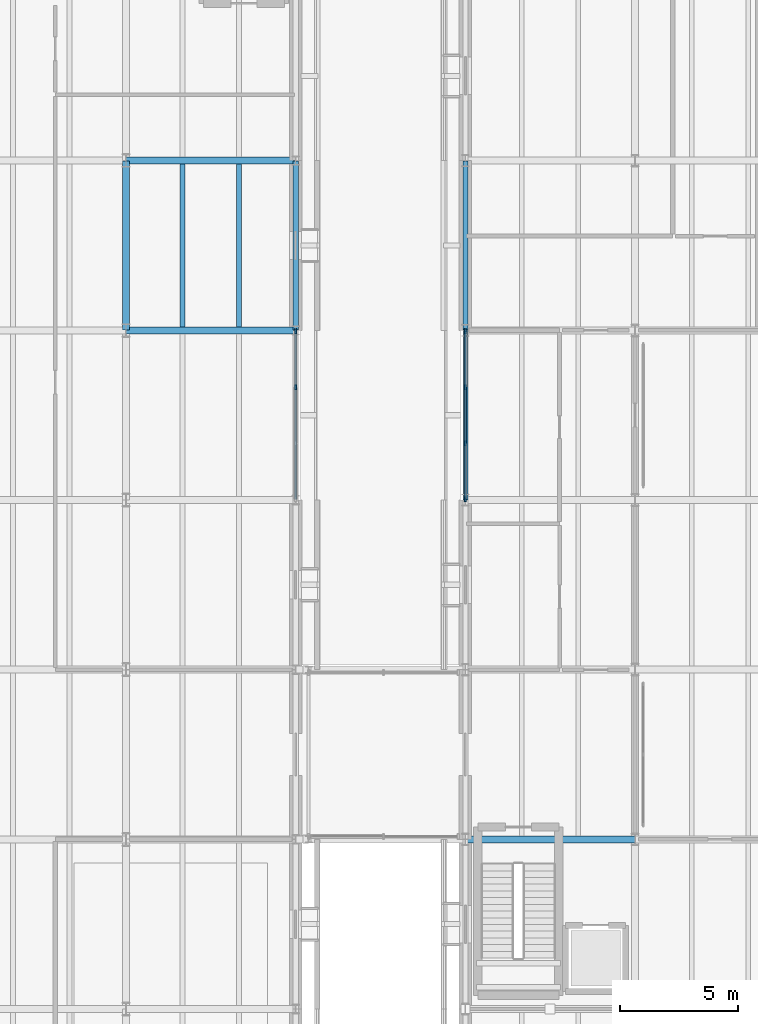
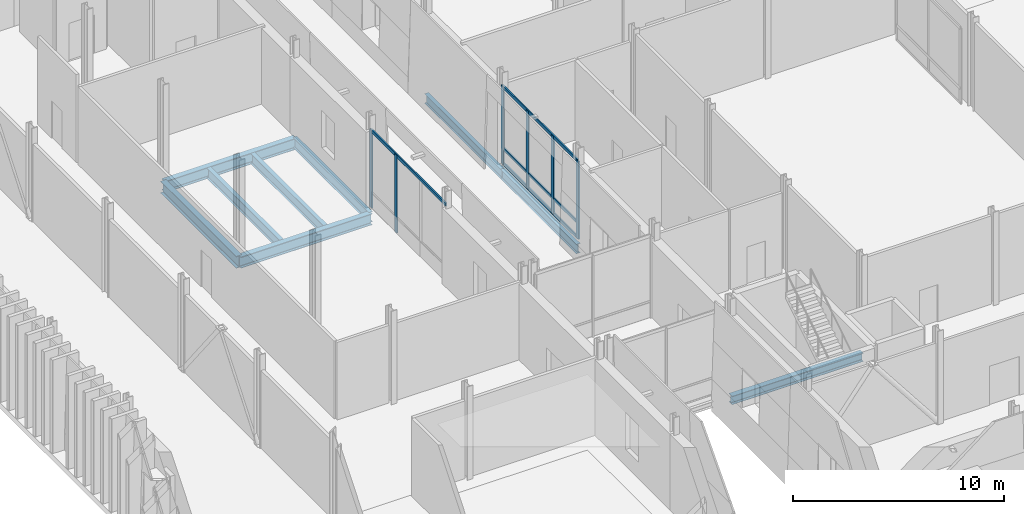
# One storey, part 26 of 120: 10 members, 9 beams, 2 elements without a shape of their own.
"""IFC4 building model written with IfcOpenShell, lengths in metres."""

from ifc_helpers import new_model, si_unit, direction, frame, origin, origin_2d, place, context, subcontext, project, spatial, rectangle, i_section, extrude, material, layer, layer_set, material_profile, profile_set, type_object, element, aggregate, save


model = new_model("IFC4")

# Units and contexts
model_context = context("Model", 3, precision=1e-05, world=origin(), true_north=direction((0.0, 1.0)))
body_context = subcontext(model_context, "Body", "Model", "MODEL_VIEW")
ifc_project = project(units=[si_unit("LENGTHUNIT", "METRE"), si_unit("AREAUNIT", "SQUARE_METRE"), si_unit("VOLUMEUNIT", "CUBIC_METRE"), si_unit("PLANEANGLEUNIT", "RADIAN"), si_unit("MASSUNIT", "GRAM", prefix="KILO")], contexts=[model_context])

# Site, building, storey
site_placement = place(None, origin())
site = spatial("IfcSite", under=ifc_project, at=site_placement, CompositionType="ELEMENT")
building_placement = place(site_placement, origin())
building = spatial("IfcBuilding", under=site, at=building_placement, Name="Narikvali Park Central Library", CompositionType="ELEMENT")
storey_placement = place(building_placement, origin())
storey = spatial("IfcBuildingStorey", under=building, at=storey_placement, Name="L00", CompositionType="ELEMENT", Elevation=0.0)

# Beams
ifc_material_1 = material(Name="Steel S355", Category="steel")
ifc_material_profile_1 = material_profile(ifc_material_1, i_section(OverallWidth=0.219970703125, OverallDepth=0.60009765625, WebThickness=0.011962890625, FlangeThickness=0.01904296875, FilletRadius=0.02392578125, at=origin_2d()), Name="IPE 600")
ifc_profile_set_1 = profile_set([ifc_material_profile_1], Name="Steel S355")
beam_type_1 = type_object("IfcBeamType", Name="Compact Archive Joist IPE600", PredefinedType="JOIST", material=ifc_profile_set_1)
for number, where, z_axis, x_axis, name in (
    (1, (16.800048828125, 86.550048828125, -0.6201171875), (0.0, 1.0, 0.0), (-1.0, 0.0, 0.0), "V5 L00 Composite Joist 1"),
    (2, (19.199951171875, 86.550048828125, -0.6201171875), (0.0, 1.0, 0.0), (-1.0, 0.0, 0.0), "V5 L00 Composite Joist 2"),
):
    element("IfcBeam", number, at=place(storey_placement, frame(where, z_axis=z_axis, x_axis=x_axis)), inside=storey, type_object=beam_type_1, Name=name, PredefinedType="JOIST", context=body_context, shape_type="SweptSolid", body=[
        extrude(i_section(OverallWidth=0.219970703125, OverallDepth=0.60009765625, WebThickness=0.011962890625, FlangeThickness=0.01904296875, FilletRadius=0.02392578125, at=origin_2d()), origin(), (0.0, 0.0, 1.0), 6.89990234375),
    ])
ifc_material_profile_2 = material_profile(ifc_material_1, i_section(OverallWidth=0.300048828125, OverallDepth=0.68994140625, WebThickness=0.014404296875, FlangeThickness=0.027099609375, FilletRadius=0.027099609375, at=origin_2d()), Name="HEA 700")
ifc_profile_set_2 = profile_set([ifc_material_profile_2], Name="Steel S355")
beam_type_2 = type_object("IfcBeamType", Name="Compact Vault Girder HEA700", PredefinedType="BEAM", material=ifc_profile_set_2)
beam_1_placement = place(storey_placement, frame((14.39990234375, 86.407958984375, -0.6650390625), z_axis=(0.0, 1.0, 0.0), x_axis=(-1.0, 0.0, 0.0)))
element("IfcBeam", 3, at=beam_1_placement, inside=storey, type_object=beam_type_2, Name="V5 L00 Girder Y", PredefinedType="BEAM", context=body_context, shape_type="SweptSolid", body=[
    extrude(i_section(OverallWidth=0.300048828125, OverallDepth=0.68994140625, WebThickness=0.014404296875, FlangeThickness=0.027099609375, FilletRadius=0.027099609375, at=origin_2d()), origin(), (0.0, 0.0, 1.0), 7.18408203125),
])

# Curtain wall, members
ifc_material_2 = material(Name="Anodised Bronze Aluminium", Category="aluminium")
ifc_layer = layer(ifc_material_2, 0.219970703125, Name="Anodised Bronze Aluminium")
ifc_layer_set = layer_set([ifc_layer], Name="Anodised Bronze Aluminium")
curtain_wall_type = type_object("IfcCurtainWallType", Name="Atrium Tall Curtain Wall System", PredefinedType="NOTDEFINED", material=ifc_layer_set)
curtain_wall_1_placement = place(storey_placement, origin())
curtain_wall_1 = element("IfcCurtainWall", 4, at=curtain_wall_1_placement, inside=storey, type_object=curtain_wall_type, Name="Atrium Tall Curtain Wall System CW-V4-L00-W-05", PredefinedType="NOTDEFINED")
ifc_material_profile_3 = material_profile(ifc_material_2, rectangle(XDim=0.074951171875, YDim=0.219970703125, at=origin_2d()), Name="CW MULLION 75x220")
ifc_profile_set_3 = profile_set([ifc_material_profile_3], Name="Anodised Bronze Aluminium")
member_type_1 = type_object("IfcMemberType", Name="Curtain Wall Heavy Mullion 75x220", PredefinedType="MULLION", material=ifc_profile_set_3)
member_1_placement = place(storey_placement, frame((28.800048828125, 86.362060546875, -0.010009765625), z_axis=(0.0, 0.0, 1.0), x_axis=(1.0, 0.0, 0.0)))
member_1 = element("IfcMember", 5, at=member_1_placement, type_object=member_type_1, Name="CW-V4-L00-W-05 Mullion 00", PredefinedType="MULLION", context=body_context, shape_type="SweptSolid", body=[
    extrude(rectangle(XDim=0.074951171875, YDim=0.219970703125, at=origin_2d()), origin(), (0.0, 0.0, 1.0), 4.510009765625),
])
member_2_placement = place(storey_placement, frame((28.800048828125, 83.9873046875, -0.010009765625), z_axis=(0.0, 0.0, 1.0), x_axis=(1.0, 0.0, 0.0)))
member_2 = element("IfcMember", 6, at=member_2_placement, type_object=member_type_1, Name="CW-V4-L00-W-05 Mullion 01", PredefinedType="MULLION", context=body_context, shape_type="SweptSolid", body=[
    extrude(rectangle(XDim=0.074951171875, YDim=0.219970703125, at=origin_2d()), origin(), (0.0, 0.0, 1.0), 4.510009765625),
])
member_3_placement = place(storey_placement, frame((28.800048828125, 81.61279296875, -0.010009765625), z_axis=(0.0, 0.0, 1.0), x_axis=(1.0, 0.0, 0.0)))
member_3 = element("IfcMember", 7, at=member_3_placement, type_object=member_type_1, Name="CW-V4-L00-W-05 Mullion 02", PredefinedType="MULLION", context=body_context, shape_type="SweptSolid", body=[
    extrude(rectangle(XDim=0.074951171875, YDim=0.219970703125, at=origin_2d()), origin(), (0.0, 0.0, 1.0), 4.510009765625),
])
member_4_placement = place(storey_placement, frame((28.800048828125, 79.238037109375, -0.010009765625), z_axis=(0.0, 0.0, 1.0), x_axis=(1.0, 0.0, 0.0)))
member_4 = element("IfcMember", 8, at=member_4_placement, type_object=member_type_1, Name="CW-V4-L00-W-05 Mullion 03", PredefinedType="MULLION", context=body_context, shape_type="SweptSolid", body=[
    extrude(rectangle(XDim=0.074951171875, YDim=0.219970703125, at=origin_2d()), origin(), (0.0, 0.0, 1.0), 4.510009765625),
])

curtain_wall_2_placement = place(storey_placement, origin())
curtain_wall_2 = element("IfcCurtainWall", 9, at=curtain_wall_2_placement, inside=storey, type_object=curtain_wall_type, Name="Atrium Tall Curtain Wall System CW-V5-L00-E-08", PredefinedType="NOTDEFINED")
member_5_placement = place(storey_placement, frame((21.60009765625, 83.9873046875, -0.010009765625), z_axis=(0.0, 0.0, 1.0), x_axis=(1.0, 0.0, 0.0)))
member_5 = element("IfcMember", 10, at=member_5_placement, type_object=member_type_1, Name="CW-V5-L00-E-08 Mullion 02", PredefinedType="MULLION", context=body_context, shape_type="SweptSolid", body=[
    extrude(rectangle(XDim=0.074951171875, YDim=0.219970703125, at=origin_2d()), origin(), (0.0, 0.0, 1.0), 4.489990234375),
])
member_6_placement = place(storey_placement, frame((21.60009765625, 86.362060546875, -0.010009765625), z_axis=(0.0, 0.0, 1.0), x_axis=(1.0, 0.0, 0.0)))
member_6 = element("IfcMember", 11, at=member_6_placement, type_object=member_type_1, Name="CW-V5-L00-E-08 Mullion 03", PredefinedType="MULLION", context=body_context, shape_type="SweptSolid", body=[
    extrude(rectangle(XDim=0.074951171875, YDim=0.219970703125, at=origin_2d()), origin(), (0.0, 0.0, 1.0), 4.489990234375),
])

# Member
ifc_material_profile_4 = material_profile(ifc_material_2, rectangle(XDim=0.074951171875, YDim=0.179931640625, at=origin_2d()), Name="CW TRANSOM 75x180")
ifc_profile_set_4 = profile_set([ifc_material_profile_4], Name="Anodised Bronze Aluminium")
member_type_2 = type_object("IfcMemberType", Name="Curtain Wall Heavy Transom 75x180", PredefinedType="USERDEFINED", material=ifc_profile_set_4)
member_7_placement = place(storey_placement, frame((28.800048828125, 86.362060546875, 0.030029296875), z_axis=(0.0, -1.0, 0.0), x_axis=(1.0, 0.0, 0.0)))
member_7 = element("IfcMember", 12, at=member_7_placement, type_object=member_type_2, Name="CW-V4-L00-W-05 Transom 00", ObjectType="TRANSOM", PredefinedType="USERDEFINED", context=body_context, shape_type="SweptSolid", body=[
    extrude(rectangle(XDim=0.074951171875, YDim=0.179931640625, at=origin_2d()), origin(), (0.0, 0.0, 1.0), 7.1240234375),
])

member_8_placement = place(storey_placement, frame((28.800048828125, 86.362060546875, 0.89990234375), z_axis=(0.0, -1.0, 0.0), x_axis=(1.0, 0.0, 0.0)))
member_8 = element("IfcMember", 13, at=member_8_placement, type_object=member_type_2, Name="CW-V4-L00-W-05 Transom 01", ObjectType="TRANSOM", PredefinedType="USERDEFINED", context=body_context, shape_type="SweptSolid", body=[
    extrude(rectangle(XDim=0.074951171875, YDim=0.179931640625, at=origin_2d()), origin(), (0.0, 0.0, 1.0), 7.1240234375),
])

member_9_placement = place(storey_placement, frame((28.800048828125, 86.362060546875, 4.469970703125), z_axis=(0.0, -1.0, 0.0), x_axis=(1.0, 0.0, 0.0)))
member_9 = element("IfcMember", 14, at=member_9_placement, type_object=member_type_2, Name="CW-V4-L00-W-05 Transom 02", ObjectType="TRANSOM", PredefinedType="USERDEFINED", context=body_context, shape_type="SweptSolid", body=[
    extrude(rectangle(XDim=0.074951171875, YDim=0.179931640625, at=origin_2d()), origin(), (0.0, 0.0, 1.0), 7.1240234375),
])

aggregate(curtain_wall_1, [member_1, member_2, member_3, member_4, member_7, member_8, member_9])

member_10_placement = place(storey_placement, frame((21.60009765625, 79.238037109375, 4.449951171875), z_axis=(0.0, 1.0, 0.0), x_axis=(-1.0, 0.0, 0.0)))
member_10 = element("IfcMember", 15, at=member_10_placement, type_object=member_type_2, Name="CW-V5-L00-E-08 Transom 02", ObjectType="TRANSOM", PredefinedType="USERDEFINED", context=body_context, shape_type="SweptSolid", body=[
    extrude(rectangle(XDim=0.074951171875, YDim=0.179931640625, at=origin_2d()), origin(), (0.0, 0.0, 1.0), 7.1240234375),
])

aggregate(curtain_wall_2, [member_5, member_6, member_10])

# Beams
ifc_material_profile_5 = material_profile(ifc_material_1, i_section(OverallWidth=0.300048828125, OverallDepth=0.64990234375, WebThickness=0.01611328125, FlangeThickness=0.031005859375, FilletRadius=0.027099609375, at=origin_2d()), Name="HEB 650")
ifc_profile_set_5 = profile_set([ifc_material_profile_5], Name="Steel S355")
beam_type_3 = type_object("IfcBeamType", Name="Dome Tension Ring Beam HEB650", PredefinedType="BEAM", material=ifc_profile_set_5)
for number, where, z_axis, x_axis, name in (
    (16, (14.407958984375, 86.39990234375, -0.64501953125), (1.0, 0.0, 0.0), (0.0, 1.0, 0.0), "V5 L00 Girder X"),
    (17, (14.407958984375, 93.60009765625, -0.64501953125), (1.0, 0.0, 0.0), (0.0, 1.0, 0.0), "V5 L00 Girder X"),
):
    element("IfcBeam", number, at=place(storey_placement, frame(where, z_axis=z_axis, x_axis=x_axis)), inside=storey, type_object=beam_type_3, Name=name, PredefinedType="BEAM", context=body_context, shape_type="SweptSolid", body=[
        extrude(i_section(OverallWidth=0.300048828125, OverallDepth=0.64990234375, WebThickness=0.01611328125, FlangeThickness=0.031005859375, FilletRadius=0.027099609375, at=origin_2d()), origin(), (0.0, 0.0, 1.0), 7.18408203125),
    ])
ifc_material_profile_6 = material_profile(ifc_material_1, i_section(OverallWidth=0.2099609375, OverallDepth=0.550048828125, WebThickness=0.010986328125, FlangeThickness=0.01708984375, FilletRadius=0.02392578125, at=origin_2d()), Name="IPE 550")
ifc_profile_set_6 = profile_set([ifc_material_profile_6], Name="Steel S355")
beam_type_4 = type_object("IfcBeamType", Name="Perimeter Spandrel IPE550", PredefinedType="SPANDREL", material=ifc_profile_set_6)
for number, where, z_axis, x_axis, name in (
    (18, (28.800048828125, 79.2080078125, -0.594970703125), (0.0, 1.0, 0.0), (-1.0, 0.0, 0.0), "V4 L00 Girder Y"),
    (19, (28.800048828125, 86.407958984375, -0.594970703125), (0.0, 1.0, 0.0), (-1.0, 0.0, 0.0), "V4 L00 Girder Y"),
):
    element("IfcBeam", number, at=place(storey_placement, frame(where, z_axis=z_axis, x_axis=x_axis)), inside=storey, type_object=beam_type_4, Name=name, PredefinedType="SPANDREL", context=body_context, shape_type="SweptSolid", body=[
        extrude(i_section(OverallWidth=0.2099609375, OverallDepth=0.550048828125, WebThickness=0.010986328125, FlangeThickness=0.01708984375, FilletRadius=0.02392578125, at=origin_2d()), origin(), (0.0, 0.0, 1.0), 7.18408203125),
    ])
ifc_material_profile_7 = material_profile(ifc_material_1, i_section(OverallWidth=0.219970703125, OverallDepth=0.60009765625, WebThickness=0.011962890625, FlangeThickness=0.01904296875, FilletRadius=0.02392578125, at=origin_2d()), Name="IPE 600")
ifc_profile_set_7 = profile_set([ifc_material_profile_7], Name="Steel S355")
beam_type_5 = type_object("IfcBeamType", Name="Perimeter Spandrel IPE600", PredefinedType="SPANDREL", material=ifc_profile_set_7)
beam_2_placement = place(storey_placement, frame((21.60009765625, 86.407958984375, -0.6201171875), z_axis=(0.0, 1.0, 0.0), x_axis=(-1.0, 0.0, 0.0)))
element("IfcBeam", 20, at=beam_2_placement, inside=storey, type_object=beam_type_5, Name="V5 L00 Girder Y", PredefinedType="SPANDREL", context=body_context, shape_type="SweptSolid", body=[
    extrude(i_section(OverallWidth=0.219970703125, OverallDepth=0.60009765625, WebThickness=0.011962890625, FlangeThickness=0.01904296875, FilletRadius=0.02392578125, at=origin_2d()), origin(), (0.0, 0.0, 1.0), 7.18408203125),
])
ifc_material_profile_8 = material_profile(ifc_material_1, i_section(OverallWidth=0.300048828125, OverallDepth=0.489990234375, WebThickness=0.011962890625, FlangeThickness=0.02294921875, FilletRadius=0.027099609375, at=origin_2d()), Name="HEA 500")
ifc_profile_set_8 = profile_set([ifc_material_profile_8], Name="Steel S355")
beam_type_6 = type_object("IfcBeamType", Name="Primary Girder HEA500", PredefinedType="BEAM", material=ifc_profile_set_8)
beam_3_placement = place(storey_placement, frame((28.80810546875, 64.800048828125, -0.56494140625), z_axis=(1.0, 0.0, 0.0), x_axis=(0.0, 1.0, 0.0)))
element("IfcBeam", 21, at=beam_3_placement, inside=storey, type_object=beam_type_6, Name="V4 L00 Girder X", PredefinedType="BEAM", context=body_context, shape_type="SweptSolid", body=[
    extrude(i_section(OverallWidth=0.300048828125, OverallDepth=0.489990234375, WebThickness=0.011962890625, FlangeThickness=0.02294921875, FilletRadius=0.027099609375, at=origin_2d()), origin(), (0.0, 0.0, 1.0), 7.183837890625),
])

save(model, "model.ifc")
